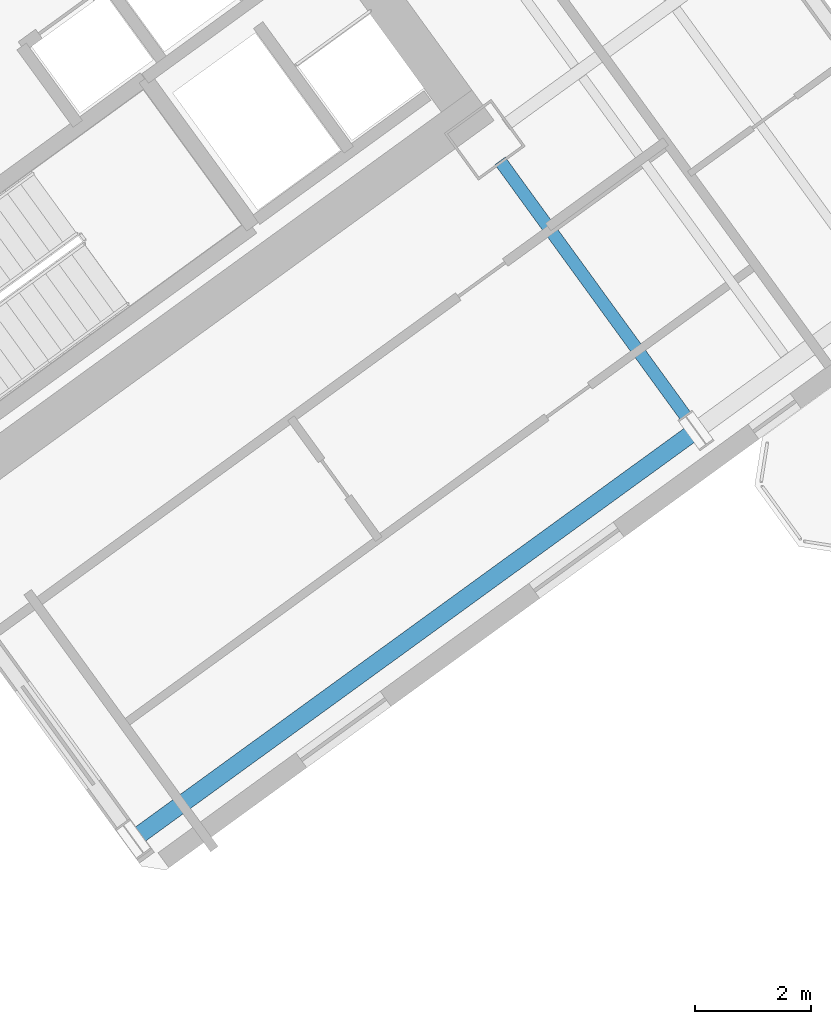
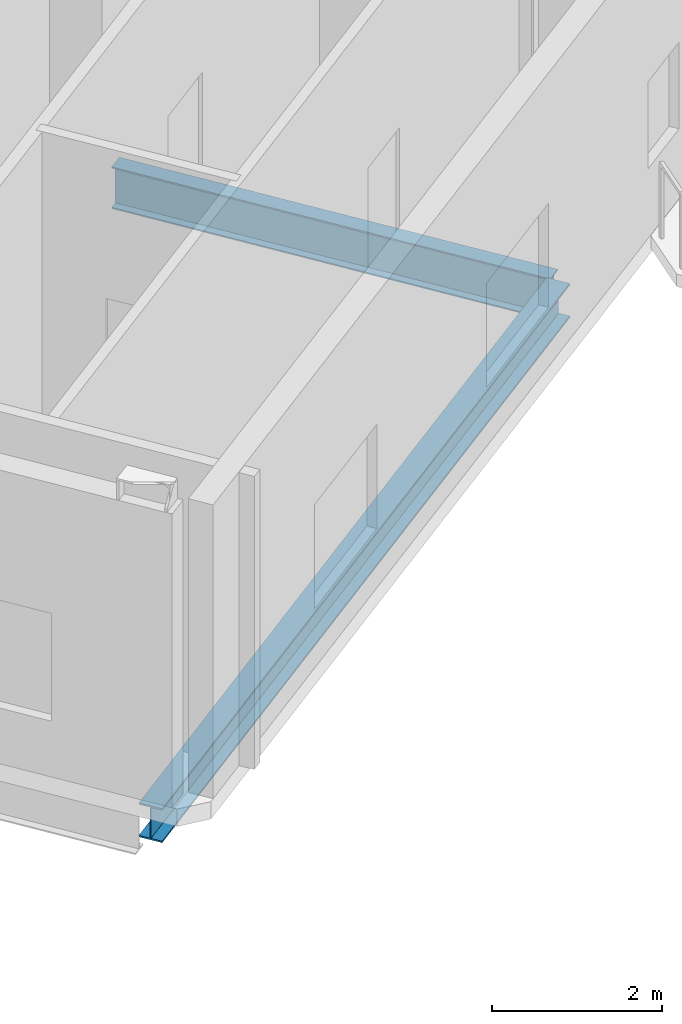
# One storey, part 10 of 30: 2 beams.
"""IFC4 building model written with IfcOpenShell, lengths in metres."""

from ifc_helpers import new_model, si_unit, direction, frame, origin, origin_2d, place, context, subcontext, project, spatial, i_section, extrude, source, transform, mapped, material, material_profile, profile_set, type_object, element, save


model = new_model("IFC4")

# Units and contexts
model_context = context("Model", 3, precision=1e-05, world=origin(), true_north=direction((0.0, 1.0)))
body_context = subcontext(model_context, "Body", "Model", "MODEL_VIEW")
ifc_project = project(units=[si_unit("LENGTHUNIT", "METRE"), si_unit("AREAUNIT", "SQUARE_METRE"), si_unit("VOLUMEUNIT", "CUBIC_METRE"), si_unit("PLANEANGLEUNIT", "RADIAN"), si_unit("MASSUNIT", "GRAM", prefix="KILO")], contexts=[model_context])

# Site, building, storey
site_placement = place(None, origin())
site = spatial("IfcSite", under=ifc_project, at=site_placement, CompositionType="ELEMENT")
building_placement = place(site_placement, origin())
building = spatial("IfcBuilding", under=site, at=building_placement, Name="Tlacorven Tower", CompositionType="ELEMENT")
storey_placement = place(building_placement, frame((0.0, 0.0, 67.199951171875)))
storey = spatial("IfcBuildingStorey", under=building, at=storey_placement, Name="L17", CompositionType="ELEMENT", Elevation=67.199951171875)

# Beams
ifc_material = material(Name="Steel S355J2", Category="steel")
ifc_material_profile_1 = material_profile(ifc_material, i_section(OverallWidth=0.219970703125, OverallDepth=0.60009765625, WebThickness=0.011962890625, FlangeThickness=0.01904296875, at=origin_2d()), Name="IPE 600")
ifc_profile_set_1 = profile_set([ifc_material_profile_1], Name="Steel S355J2")
beam_type_1 = type_object("IfcBeamType", Name="BM-TWR-600", PredefinedType="BEAM", material=ifc_profile_set_1)
shared_shape_1 = source(origin(), body_context, "Body", "SweptSolid", [
    extrude(i_section(OverallWidth=0.219970703125, OverallDepth=0.60009765625, WebThickness=0.011962890625, FlangeThickness=0.01904296875, at=origin_2d()), origin(), (0.0, 0.0, 1.0), 5.64990234375),
])
beam_1_placement = place(storey_placement, frame((65.9990234375, 14.891845703125, -0.550048828125), z_axis=(-0.587755393186, 0.809038687444, 0.0), x_axis=(-0.809038687444, -0.587755393186, 0.0)))
element("IfcBeam", 1, at=beam_1_placement, inside=storey, type_object=beam_type_1, Name="L17 beam BM-L17-ET3-1", PredefinedType="BEAM", context=body_context, shape_type="MappedRepresentation", body=[
    mapped(shared_shape_1, transform((0.0, 0.0, 0.0), scale=1.0)),
])
ifc_material_profile_2 = material_profile(ifc_material, i_section(OverallWidth=0.300048828125, OverallDepth=0.489990234375, WebThickness=0.011962890625, FlangeThickness=0.02294921875, at=origin_2d()), Name="HEA 500")
ifc_profile_set_2 = profile_set([ifc_material_profile_2], Name="Steel S355J2")
beam_type_2 = type_object("IfcBeamType", Name="BM-SPN-500", PredefinedType="SPANDREL", material=ifc_profile_set_2)
shared_shape_2 = source(origin(), body_context, "Body", "SweptSolid", [
    extrude(i_section(OverallWidth=0.300048828125, OverallDepth=0.489990234375, WebThickness=0.011962890625, FlangeThickness=0.02294921875, at=origin_2d()), origin(), (0.0, 0.0, 1.0), 11.800048828125),
])
beam_2_placement = place(storey_placement, frame((56.4306640625, 7.816162109375, -0.494873046875), z_axis=(0.80900977213, 0.587795192732, 0.0), x_axis=(-0.587795192732, 0.80900977213, 0.0)))
element("IfcBeam", 2, at=beam_2_placement, inside=storey, type_object=beam_type_2, Name="L17 beam BM-L17-EL1-1", PredefinedType="SPANDREL", context=body_context, shape_type="MappedRepresentation", body=[
    mapped(shared_shape_2, transform((0.0, 0.0, 0.0), scale=1.0)),
])

save(model, "model.ifc")
